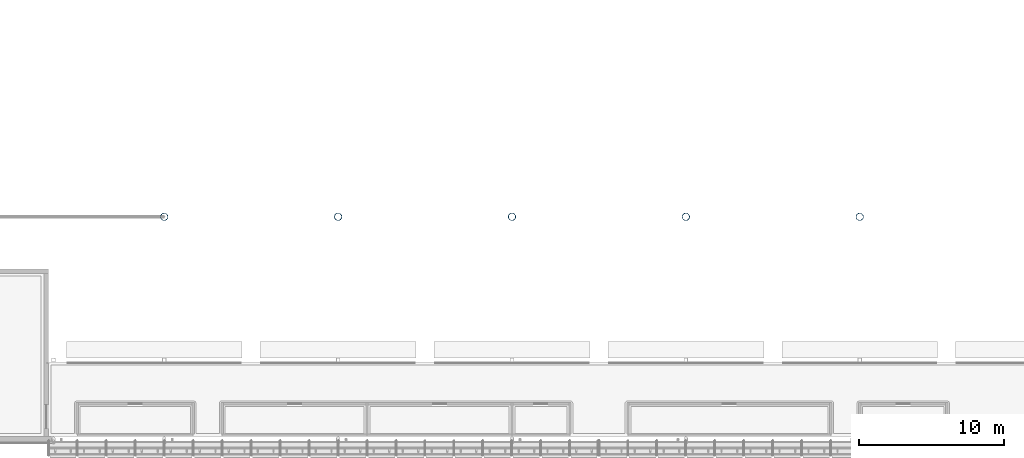
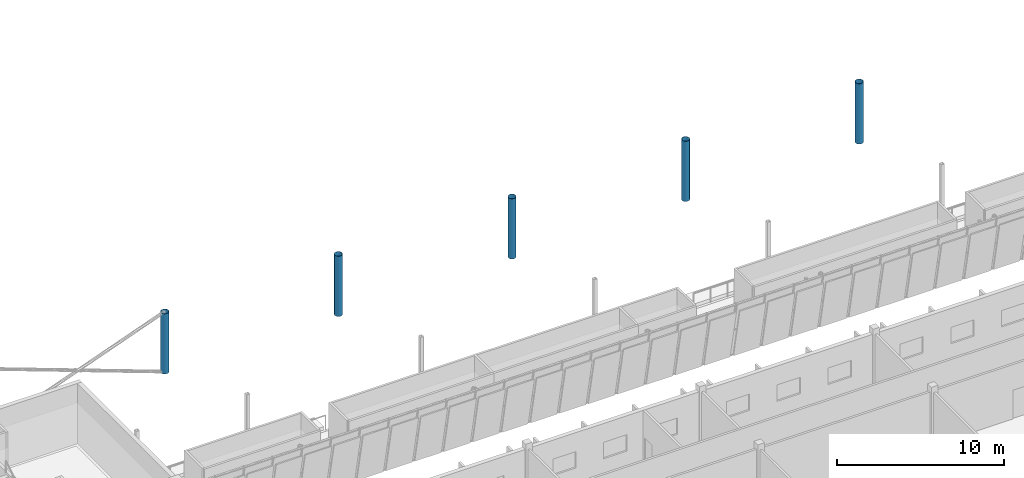
# One storey, part 8 of 115: 5 columns.
"""IFC4 building model written with IfcOpenShell, lengths in metres."""

from ifc_helpers import new_model, si_unit, direction, frame, origin, origin_2d, place, context, subcontext, project, spatial, hollow_circle, extrude, material, material_profile, profile_set, type_object, element, save


model = new_model("IFC4")

# Units and contexts
model_context = context("Model", 3, precision=1e-05, world=origin(), true_north=direction((0.0, 1.0)))
body_context = subcontext(model_context, "Body", "Model", "MODEL_VIEW")
ifc_project = project(units=[si_unit("LENGTHUNIT", "METRE"), si_unit("AREAUNIT", "SQUARE_METRE"), si_unit("VOLUMEUNIT", "CUBIC_METRE"), si_unit("PLANEANGLEUNIT", "RADIAN"), si_unit("MASSUNIT", "GRAM", prefix="KILO")], contexts=[model_context])

# Site, building, storey
site_placement = place(None, origin())
site = spatial("IfcSite", under=ifc_project, at=site_placement, CompositionType="ELEMENT")
building_placement = place(site_placement, origin())
building = spatial("IfcBuilding", under=site, at=building_placement, Name="Windward Yard Aquatics Centre", CompositionType="ELEMENT")
storey_placement = place(building_placement, frame((0.0, 0.0, 5.0)))
storey = spatial("IfcBuildingStorey", under=building, at=storey_placement, Name="L01", CompositionType="ELEMENT", Elevation=5.0)

# Columns
ifc_material = material(Name="Steel ASTM A500 Gr C", Category="steel")
ifc_material_profile = material_profile(ifc_material, hollow_circle(Radius=0.25390625, WallThickness=0.015869140625, at=origin_2d()), Name="HSS508X15.9")
ifc_profile_set = profile_set([ifc_material_profile], Name="Steel ASTM A500 Gr C")
column_type = type_object("IfcColumnType", Name="H arch column HSS508X15.9", PredefinedType="COLUMN", material=ifc_profile_set)
for number, where, z_axis, x_axis, name in (
    (1, (72.0, 41.60009765625, 0.0), (0.0, 0.0, 1.0), (1.0, 0.0, 0.0), "H.AC.S2.L01"),
    (2, (84.0, 41.60009765625, 0.0), (0.0, 0.0, 1.0), (1.0, 0.0, 0.0), "H.AC.S3.L01"),
    (3, (96.0, 41.60009765625, 0.0), (0.0, 0.0, 1.0), (1.0, 0.0, 0.0), "H.AC.S4.L01"),
    (4, (108.0, 41.60009765625, 0.0), (0.0, 0.0, 1.0), (1.0, 0.0, 0.0), "H.AC.S5.L01"),
    (5, (120.0, 41.60009765625, 0.0), (0.0, 0.0, 1.0), (1.0, 0.0, 0.0), "H.AC.S6.L01"),
):
    element("IfcColumn", number, at=place(storey_placement, frame(where, z_axis=z_axis, x_axis=x_axis)), inside=storey, type_object=column_type, Name=name, PredefinedType="COLUMN", context=body_context, shape_type="SweptSolid", body=[
        extrude(hollow_circle(Radius=0.25390625, WallThickness=0.015869140625, at=origin_2d()), origin(), (0.0, 0.0, 1.0), 4.39990234375),
    ])

save(model, "model.ifc")
